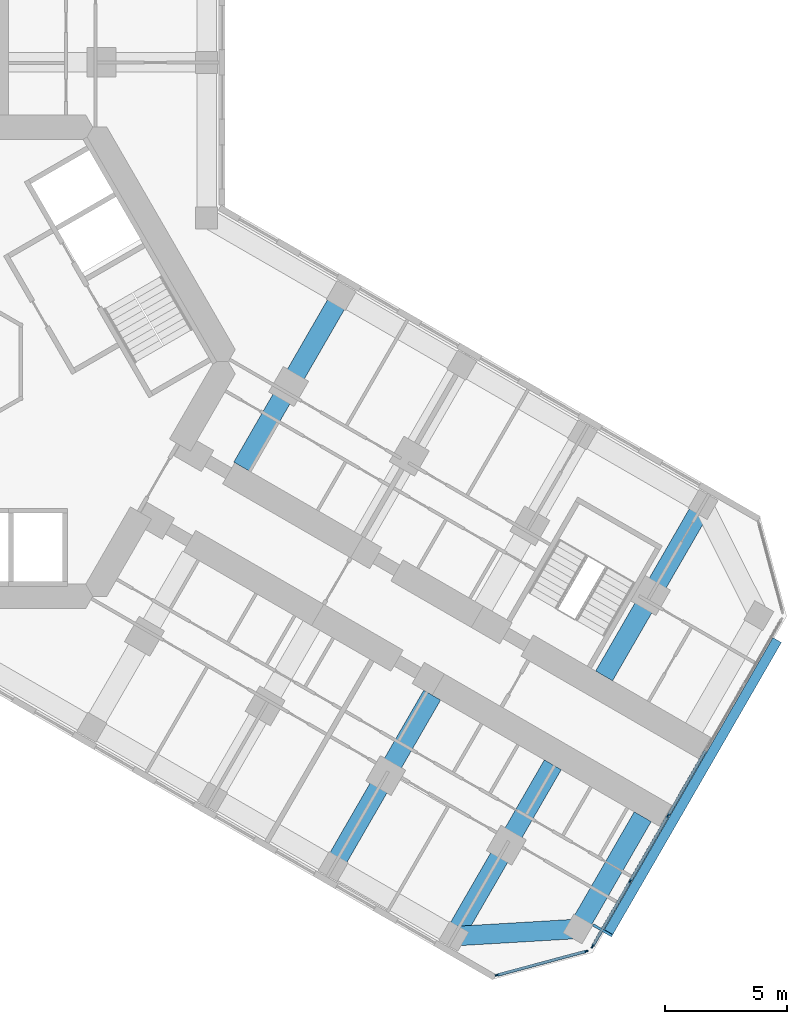
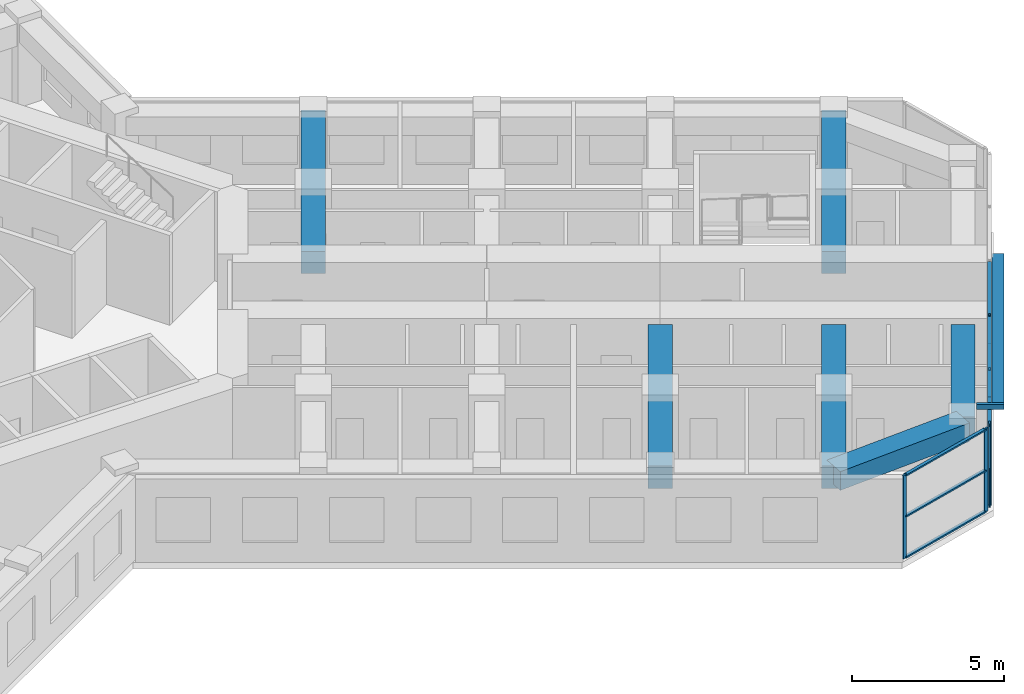
# One storey, part 5 of 21: 16 members, 6 beams, 2 elements without a shape of their own.
"""IFC4 building model written with IfcOpenShell, lengths in metres."""

from ifc_helpers import new_model, si_unit, direction, frame, origin, origin_2d, place, context, subcontext, project, spatial, rectangle, hollow_rectangle, extrude, material, material_profile, profile_set, type_object, element, aggregate, save


model = new_model("IFC4")

# Units and contexts
model_context = context("Model", 3, precision=1e-05, world=origin(), true_north=direction((0.0, 1.0)))
body_context = subcontext(model_context, "Body", "Model", "MODEL_VIEW")
ifc_project = project(units=[si_unit("LENGTHUNIT", "METRE"), si_unit("AREAUNIT", "SQUARE_METRE"), si_unit("VOLUMEUNIT", "CUBIC_METRE"), si_unit("PLANEANGLEUNIT", "RADIAN"), si_unit("MASSUNIT", "GRAM", prefix="KILO")], contexts=[model_context])

# Site, building, storey
site_placement = place(None, origin())
site = spatial("IfcSite", under=ifc_project, at=site_placement, CompositionType="ELEMENT")
building_placement = place(site_placement, origin())
building = spatial("IfcBuilding", under=site, at=building_placement, Name="Kosmar Iwan School Tower", CompositionType="ELEMENT")
storey_placement = place(building_placement, frame((0.0, 0.0, 102.39990234375)))
storey = spatial("IfcBuildingStorey", under=building, at=storey_placement, Name="L25", CompositionType="ELEMENT", Elevation=102.39990234375)

# Members
ifc_material_1 = material(Name="Black anodised aluminium", Category="aluminium")
ifc_material_profile_1 = material_profile(ifc_material_1, rectangle(XDim=0.10009765625, YDim=0.39990234375, at=origin_2d()), Name="FIN 100x400")
ifc_profile_set_1 = profile_set([ifc_material_profile_1], Name="Black anodised aluminium")
member_type_1 = type_object("IfcMemberType", Name="Diagonal fin 100x400", PredefinedType="USERDEFINED", material=ifc_profile_set_1)
member_1_placement = place(storey_placement, frame((33.54345703125, -11.40087890625, -0.14990234375), z_axis=(-0.483793446988, -0.837970316603, 0.25248692866), x_axis=(0.126241714543, 0.218661104574, 0.96760030532)))
element("IfcMember", 1, at=member_1_placement, inside=storey, type_object=member_type_1, Name="Diagonal fin L25-F03", ObjectType="FIN", PredefinedType="USERDEFINED", context=body_context, shape_type="SweptSolid", body=[
    extrude(rectangle(XDim=0.10009765625, YDim=0.39990234375, at=origin_2d()), origin(), (0.0, 0.0, 1.0), 14.258544921875),
])
ifc_material_2 = material(Name="Steel S355", Category="steel")
ifc_material_profile_2 = material_profile(ifc_material_2, hollow_rectangle(XDim=0.10009765625, YDim=0.199951171875, WallThickness=0.008056640625, at=origin_2d()), Name="RHS 200x100x8")
ifc_profile_set_2 = profile_set([ifc_material_profile_2], Name="Steel S355")
member_type_2 = type_object("IfcMemberType", Name="Fin bracket RHS 200x100", PredefinedType="USERDEFINED", material=ifc_profile_set_2)
member_2_placement = place(storey_placement, frame((26.01318359375, -23.0439453125, 3.47509765625), z_axis=(0.866013897511, -0.50001992892, 0.0), x_axis=(0.50001992892, 0.866013897511, 0.0)))
element("IfcMember", 2, at=member_2_placement, inside=storey, type_object=member_type_2, Name="Fin bracket L26", ObjectType="FIN BRACKET", PredefinedType="USERDEFINED", context=body_context, shape_type="SweptSolid", body=[
    extrude(hollow_rectangle(XDim=0.10009765625, YDim=0.199951171875, WallThickness=0.008056640625, at=origin_2d()), origin(), (0.0, 0.0, 1.0), 0.89990234375),
])

# Curtain wall, members
ifc_material_3 = material(Name="Dark glass in black aluminium frame", Category="aluminium")
curtain_wall_type_1 = type_object("IfcCurtainWallType", Name="Chamfer curtain wall dark glass", PredefinedType="USERDEFINED", material=ifc_material_3)
curtain_wall_1_placement = place(storey_placement, origin())
curtain_wall_1 = element("IfcCurtainWall", 3, at=curtain_wall_1_placement, inside=storey, type_object=curtain_wall_type_1, Name="Curtain wall L25-F02", ObjectType="FACETED CURTAIN WALL", PredefinedType="USERDEFINED")
ifc_material_4 = material(Name="Black anodised aluminium", Category="aluminium")
ifc_material_profile_3 = material_profile(ifc_material_4, rectangle(XDim=0.06005859375, YDim=0.159912109375, at=origin_2d()), Name="MULLION 60x160")
ifc_profile_set_3 = profile_set([ifc_material_profile_3], Name="Black anodised aluminium")
member_type_3 = type_object("IfcMemberType", Name="Mullion 60x160", PredefinedType="MULLION", material=ifc_profile_set_3)
member_3_placement = place(storey_placement, frame((22.0830078125, -25.102294921875, 0.0), z_axis=(0.0, 0.0, 1.0), x_axis=(-0.258818861462, 0.965925875495, 0.0)))
member_3 = element("IfcMember", 4, at=member_3_placement, type_object=member_type_3, Name="CW2 mullion 1", PredefinedType="MULLION", context=body_context, shape_type="SweptSolid", body=[
    extrude(rectangle(XDim=0.06005859375, YDim=0.159912109375, at=origin_2d()), origin(), (0.0, 0.0, 1.0), 3.35009765625),
])
member_4_placement = place(storey_placement, frame((25.733154296875, -24.124267578125, 0.0), z_axis=(0.0, 0.0, 1.0), x_axis=(-0.258818861462, 0.965925875495, 0.0)))
member_4 = element("IfcMember", 5, at=member_4_placement, type_object=member_type_3, Name="CW2 mullion 2", PredefinedType="MULLION", context=body_context, shape_type="SweptSolid", body=[
    extrude(rectangle(XDim=0.06005859375, YDim=0.159912109375, at=origin_2d()), origin(), (0.0, 0.0, 1.0), 3.35009765625),
])

ifc_material_5 = material(Name="Dark glass in black aluminium frame", Category="aluminium")
curtain_wall_type_2 = type_object("IfcCurtainWallType", Name="Tower curtain wall dark glass", PredefinedType="USERDEFINED", material=ifc_material_5)
curtain_wall_2_placement = place(storey_placement, origin())
curtain_wall_2 = element("IfcCurtainWall", 6, at=curtain_wall_2_placement, inside=storey, type_object=curtain_wall_type_2, Name="Curtain wall L25-F03", ObjectType="UNITISED CURTAIN WALL", PredefinedType="USERDEFINED")
member_5_placement = place(storey_placement, frame((25.9970703125, -23.921630859375, 0.0), z_axis=(0.0, 0.0, 1.0), x_axis=(-0.866025405329, 0.499999997325, 0.0)))
member_5 = element("IfcMember", 7, at=member_5_placement, type_object=member_type_3, Name="CW1 mullion 1", PredefinedType="MULLION", context=body_context, shape_type="SweptSolid", body=[
    extrude(rectangle(XDim=0.06005859375, YDim=0.159912109375, at=origin_2d()), origin(), (0.0, 0.0, 1.0), 3.35009765625),
])
member_6_placement = place(storey_placement, frame((27.53173828125, -21.263671875, 0.0), z_axis=(0.0, 0.0, 1.0), x_axis=(-0.866025405329, 0.499999997325, 0.0)))
member_6 = element("IfcMember", 8, at=member_6_placement, type_object=member_type_3, Name="CW1 mullion 2", PredefinedType="MULLION", context=body_context, shape_type="SweptSolid", body=[
    extrude(rectangle(XDim=0.06005859375, YDim=0.159912109375, at=origin_2d()), origin(), (0.0, 0.0, 1.0), 3.35009765625),
])
member_7_placement = place(storey_placement, frame((29.081298828125, -18.57958984375, 0.0), z_axis=(0.0, 0.0, 1.0), x_axis=(-0.866025405329, 0.499999997325, 0.0)))
member_7 = element("IfcMember", 9, at=member_7_placement, type_object=member_type_3, Name="CW1 mullion 3", PredefinedType="MULLION", context=body_context, shape_type="SweptSolid", body=[
    extrude(rectangle(XDim=0.06005859375, YDim=0.159912109375, at=origin_2d()), origin(), (0.0, 0.0, 1.0), 3.35009765625),
])

# Beams
ifc_material_6 = material(Name="Concrete C50/60", Category="concrete")
ifc_material_profile_4 = material_profile(ifc_material_6, rectangle(XDim=0.800048828125, YDim=0.75, at=origin_2d()), Name="RC 800x750")
ifc_profile_set_4 = profile_set([ifc_material_profile_4], Name="Concrete C50/60")
beam_type_1 = type_object("IfcBeamType", Name="RC tip beam 800x750", PredefinedType="BEAM", material=ifc_profile_set_4)
beam_1_placement = place(storey_placement, frame((20.31787109375, -23.508544921875, 2.97509765625), z_axis=(0.998260616478, 0.058955420358, 0.0), x_axis=(-0.058955420358, 0.998260616478, 0.0)))
element("IfcBeam", 10, at=beam_1_placement, inside=storey, type_object=beam_type_1, Name="Tip beam CR", PredefinedType="BEAM", context=body_context, shape_type="SweptSolid", body=[
    extrude(rectangle(XDim=0.800048828125, YDim=0.75, at=origin_2d()), origin(), (0.0, 0.0, 1.0), 5.08935546875),
])
beam_2_placement = place(storey_placement, frame((25.3984375, -23.20849609375, 2.97509765625), z_axis=(0.499993606316, 0.866029095148, 0.0), x_axis=(-0.866029095148, 0.499993606316, 0.0)))
element("IfcBeam", 11, at=beam_2_placement, inside=storey, type_object=beam_type_1, Name="Tip beam CR to corridor wall", PredefinedType="BEAM", context=body_context, shape_type="SweptSolid", body=[
    extrude(rectangle(XDim=0.800048828125, YDim=0.75, at=origin_2d()), origin(), (0.0, 0.0, 1.0), 5.2998046875),
])
ifc_material_7 = material(Name="Concrete C50/60", Category="concrete")
ifc_material_profile_5 = material_profile(ifc_material_7, rectangle(XDim=0.800048828125, YDim=0.89990234375, at=origin_2d()), Name="RC 800x900")
ifc_profile_set_5 = profile_set([ifc_material_profile_5], Name="Concrete C50/60")
beam_type_2 = type_object("IfcBeamType", Name="RC transverse beam 800x900", PredefinedType="BEAM", material=ifc_profile_set_5)
for number, where, z_axis, x_axis, name in (
    (12, (15.708740234375, 2.70849609375, 2.900146484375), (-0.499999880539, -0.866025472755, 0.0), (0.866025472755, -0.499999880539, 0.0), "Transverse beam CL1"),
    (13, (30.517822265625, -5.841552734375, 2.900146484375), (-0.499999880539, -0.866025472755, 0.0), (0.866025472755, -0.499999880539, 0.0), "Transverse beam CL4"),
    (14, (15.381591796875, -20.658447265625, 2.900146484375), (0.499977274689, 0.866038523851, 0.0), (-0.866038523851, 0.499977274689, 0.0), "Transverse beam CR3"),
    (15, (20.31787109375, -23.508544921875, 2.900146484375), (0.499999880539, 0.866025472755, 0.0), (-0.866025472755, 0.499999880539, 0.0), "Transverse beam CR4"),
):
    element("IfcBeam", number, at=place(storey_placement, frame(where, z_axis=z_axis, x_axis=x_axis)), inside=storey, type_object=beam_type_2, Name=name, PredefinedType="BEAM", context=body_context, shape_type="SweptSolid", body=[
        extrude(rectangle(XDim=0.800048828125, YDim=0.89990234375, at=origin_2d()), origin(), (0.0, 0.0, 1.0), 8.10009765625),
    ])

# Member
ifc_material_8 = material(Name="Black anodised aluminium", Category="aluminium")
ifc_material_profile_6 = material_profile(ifc_material_8, rectangle(XDim=0.1201171875, YDim=0.06005859375, at=origin_2d()), Name="TRANSOM 60x120")
ifc_profile_set_6 = profile_set([ifc_material_profile_6], Name="Black anodised aluminium")
member_type_4 = type_object("IfcMemberType", Name="Transom 60x120", PredefinedType="USERDEFINED", material=ifc_profile_set_6)
member_8_placement = place(storey_placement, frame((22.11181640625, -25.094482421875, 0.030029296875), z_axis=(0.965923731726, 0.258826861991, 0.0), x_axis=(-0.258826861991, 0.965923731726, 0.0)))
member_8 = element("IfcMember", 16, at=member_8_placement, type_object=member_type_4, Name="CW2 transom 1.1", ObjectType="TRANSOM", PredefinedType="USERDEFINED", context=body_context, shape_type="SweptSolid", body=[
    extrude(rectangle(XDim=0.1201171875, YDim=0.06005859375, at=origin_2d()), origin(), (0.0, 0.0, 1.0), 3.71923828125),
])

member_9_placement = place(storey_placement, frame((22.11181640625, -25.094482421875, 1.675048828125), z_axis=(0.965923731726, 0.258826861991, 0.0), x_axis=(-0.258826861991, 0.965923731726, 0.0)))
member_9 = element("IfcMember", 17, at=member_9_placement, type_object=member_type_4, Name="CW2 transom 1.2", ObjectType="TRANSOM", PredefinedType="USERDEFINED", context=body_context, shape_type="SweptSolid", body=[
    extrude(rectangle(XDim=0.1201171875, YDim=0.06005859375, at=origin_2d()), origin(), (0.0, 0.0, 1.0), 3.71923828125),
])

member_10_placement = place(storey_placement, frame((22.11181640625, -25.094482421875, 3.320068359375), z_axis=(0.965923731726, 0.258826861991, 0.0), x_axis=(-0.258826861991, 0.965923731726, 0.0)))
member_10 = element("IfcMember", 18, at=member_10_placement, type_object=member_type_4, Name="CW2 transom 1.3", ObjectType="TRANSOM", PredefinedType="USERDEFINED", context=body_context, shape_type="SweptSolid", body=[
    extrude(rectangle(XDim=0.1201171875, YDim=0.06005859375, at=origin_2d()), origin(), (0.0, 0.0, 1.0), 3.71923828125),
])

aggregate(curtain_wall_1, [member_3, member_4, member_8, member_9, member_10])

member_11_placement = place(storey_placement, frame((26.01220703125, -23.895751953125, 0.030029296875), z_axis=(0.499986971506, 0.866032925658, 0.0), x_axis=(-0.866032925658, 0.499986971506, 0.0)))
member_11 = element("IfcMember", 19, at=member_11_placement, type_object=member_type_4, Name="CW1 transom 1.1", ObjectType="TRANSOM", PredefinedType="USERDEFINED", context=body_context, shape_type="SweptSolid", body=[
    extrude(rectangle(XDim=0.1201171875, YDim=0.06005859375, at=origin_2d()), origin(), (0.0, 0.0, 1.0), 3.00927734375),
])

member_12_placement = place(storey_placement, frame((26.01220703125, -23.895751953125, 3.320068359375), z_axis=(0.499986971506, 0.866032925658, 0.0), x_axis=(-0.866032925658, 0.499986971506, 0.0)))
member_12 = element("IfcMember", 20, at=member_12_placement, type_object=member_type_4, Name="CW1 transom 1.2", ObjectType="TRANSOM", PredefinedType="USERDEFINED", context=body_context, shape_type="SweptSolid", body=[
    extrude(rectangle(XDim=0.1201171875, YDim=0.06005859375, at=origin_2d()), origin(), (0.0, 0.0, 1.0), 3.00927734375),
])

member_13_placement = place(storey_placement, frame((27.546875, -21.237548828125, 0.030029296875), z_axis=(0.499975102327, 0.866039777986, 0.0), x_axis=(-0.866039777986, 0.499975102327, 0.0)))
member_13 = element("IfcMember", 21, at=member_13_placement, type_object=member_type_4, Name="CW1 transom 2.1", ObjectType="TRANSOM", PredefinedType="USERDEFINED", context=body_context, shape_type="SweptSolid", body=[
    extrude(rectangle(XDim=0.1201171875, YDim=0.06005859375, at=origin_2d()), origin(), (0.0, 0.0, 1.0), 3.039306640625),
])

member_14_placement = place(storey_placement, frame((27.546875, -21.237548828125, 3.320068359375), z_axis=(0.499975102327, 0.866039777986, 0.0), x_axis=(-0.866039777986, 0.499975102327, 0.0)))
member_14 = element("IfcMember", 22, at=member_14_placement, type_object=member_type_4, Name="CW1 transom 2.2", ObjectType="TRANSOM", PredefinedType="USERDEFINED", context=body_context, shape_type="SweptSolid", body=[
    extrude(rectangle(XDim=0.1201171875, YDim=0.06005859375, at=origin_2d()), origin(), (0.0, 0.0, 1.0), 3.039306640625),
])

member_15_placement = place(storey_placement, frame((29.096435546875, -18.553466796875, 0.030029296875), z_axis=(0.499975102327, 0.866039777986, 0.0), x_axis=(-0.866039777986, 0.499975102327, 0.0)))
member_15 = element("IfcMember", 23, at=member_15_placement, type_object=member_type_4, Name="CW1 transom 3.1", ObjectType="TRANSOM", PredefinedType="USERDEFINED", context=body_context, shape_type="SweptSolid", body=[
    extrude(rectangle(XDim=0.1201171875, YDim=0.06005859375, at=origin_2d()), origin(), (0.0, 0.0, 1.0), 3.039306640625),
])

member_16_placement = place(storey_placement, frame((29.096435546875, -18.553466796875, 3.320068359375), z_axis=(0.499975102327, 0.866039777986, 0.0), x_axis=(-0.866039777986, 0.499975102327, 0.0)))
member_16 = element("IfcMember", 24, at=member_16_placement, type_object=member_type_4, Name="CW1 transom 3.2", ObjectType="TRANSOM", PredefinedType="USERDEFINED", context=body_context, shape_type="SweptSolid", body=[
    extrude(rectangle(XDim=0.1201171875, YDim=0.06005859375, at=origin_2d()), origin(), (0.0, 0.0, 1.0), 3.039306640625),
])

aggregate(curtain_wall_2, [member_5, member_6, member_7, member_11, member_12, member_13, member_14, member_15, member_16])

save(model, "model.ifc")
